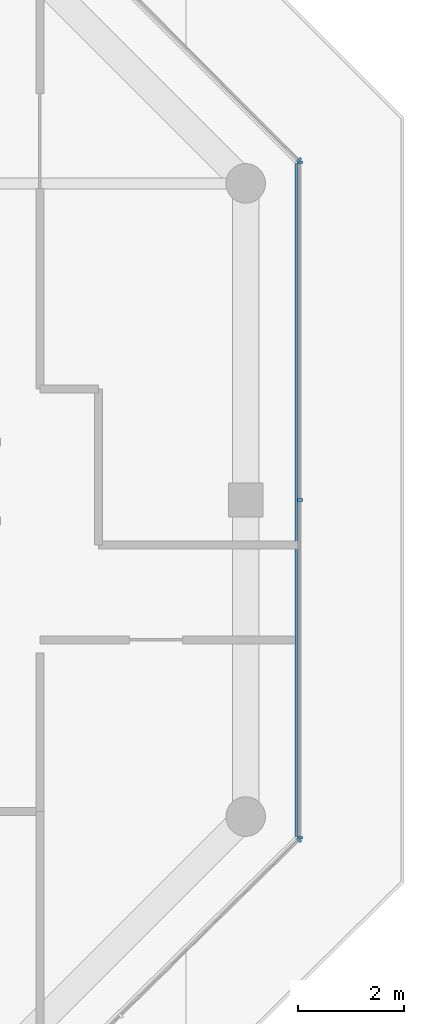
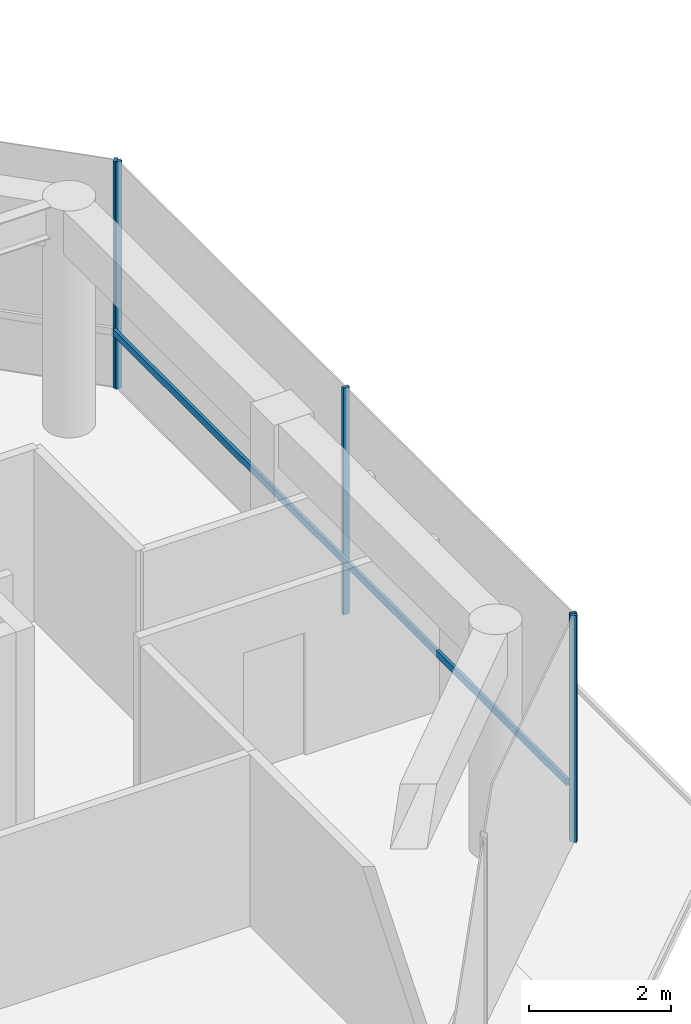
# One storey, part 8 of 17: 6 members, 3 elements without a shape of their own.
"""IFC4 building model written with IfcOpenShell, lengths in metres."""

from ifc_helpers import new_model, si_unit, direction, frame, origin, origin_2d, place, context, subcontext, project, spatial, rectangle, extrude, material, layer, layer_set, material_profile, profile_set, type_object, element, aggregate, save


model = new_model("IFC4")

# Units and contexts
model_context = context("Model", 3, precision=1e-05, world=origin(), true_north=direction((0.0, 1.0)))
body_context = subcontext(model_context, "Body", "Model", "MODEL_VIEW")
ifc_project = project(units=[si_unit("LENGTHUNIT", "METRE"), si_unit("AREAUNIT", "SQUARE_METRE"), si_unit("VOLUMEUNIT", "CUBIC_METRE"), si_unit("PLANEANGLEUNIT", "RADIAN"), si_unit("MASSUNIT", "GRAM", prefix="KILO")], contexts=[model_context])

# Site, building, storey
site_placement = place(None, origin())
site = spatial("IfcSite", under=ifc_project, at=site_placement, CompositionType="ELEMENT")
building_placement = place(site_placement, origin())
building = spatial("IfcBuilding", under=site, at=building_placement, Name="Welwitschia Terrace Campus", CompositionType="ELEMENT")
storey_placement = place(building_placement, frame((0.0, 0.0, 335.60009765625)))
storey = spatial("IfcBuildingStorey", under=building, at=storey_placement, Name="L75", CompositionType="ELEMENT", Elevation=335.60009765625)

# Curtain wall, member
ifc_material_1 = material(Name="Bronze anodised aluminium", Category="aluminium")
ifc_layer = layer(ifc_material_1, 0.10009765625)
ifc_layer_set = layer_set([ifc_layer], Name="Bronze anodised aluminium")
curtain_wall_type = type_object("IfcCurtainWallType", Name="Curtain wall CW5 crown 6000", PredefinedType="NOTDEFINED", material=ifc_layer_set)
curtain_wall_1_placement = place(storey_placement, origin())
curtain_wall_1 = element("IfcCurtainWall", 1, at=curtain_wall_1_placement, inside=storey, type_object=curtain_wall_type, Name="CW L75.5.0", PredefinedType="NOTDEFINED")
ifc_material_2 = material(Name="Bronze anodised aluminium", Category="aluminium")
ifc_material_profile_1 = material_profile(ifc_material_2, rectangle(XDim=0.10009765625, YDim=0.050048828125, at=origin_2d()))
ifc_profile_set_1 = profile_set([ifc_material_profile_1], Name="Bronze anodised aluminium")
member_type_1 = type_object("IfcMemberType", Name="Mullion 50x100", PredefinedType="MULLION", material=ifc_profile_set_1)
member_1_placement = place(storey_placement, frame((31.01220703125, 1.5556640625, 0.0), z_axis=(0.0, 0.0, 1.0), x_axis=(-0.701671880518, 0.712500226028, 0.0)))
member_1 = element("IfcMember", 2, at=member_1_placement, type_object=member_type_1, Name="Mullion L75.5.0.2", PredefinedType="MULLION", context=body_context, shape_type="SweptSolid", body=[
    extrude(rectangle(XDim=0.10009765625, YDim=0.050048828125, at=origin_2d()), origin(), (0.0, 0.0, 1.0), 3.89990234375),
])
aggregate(curtain_wall_1, [member_1])

# Curtain wall, members
curtain_wall_2_placement = place(storey_placement, origin())
curtain_wall_2 = element("IfcCurtainWall", 3, at=curtain_wall_2_placement, inside=storey, type_object=curtain_wall_type, Name="CW L75.6.0", PredefinedType="NOTDEFINED")
member_2_placement = place(storey_placement, frame((31.030029296875, 1.59814453125, 0.0), z_axis=(0.0, 0.0, 1.0), x_axis=(-1.0, 0.0, 0.0)))
member_2 = element("IfcMember", 4, at=member_2_placement, type_object=member_type_1, Name="Mullion L75.6.0.0", PredefinedType="MULLION", context=body_context, shape_type="SweptSolid", body=[
    extrude(rectangle(XDim=0.10009765625, YDim=0.050048828125, at=origin_2d()), origin(), (0.0, 0.0, 1.0), 3.89990234375),
])
member_3_placement = place(storey_placement, frame((31.030029296875, 8.0, 0.0), z_axis=(0.0, 0.0, 1.0), x_axis=(-1.0, 0.0, 0.0)))
member_3 = element("IfcMember", 5, at=member_3_placement, type_object=member_type_1, Name="Mullion L75.6.0.1", PredefinedType="MULLION", context=body_context, shape_type="SweptSolid", body=[
    extrude(rectangle(XDim=0.10009765625, YDim=0.050048828125, at=origin_2d()), origin(), (0.0, 0.0, 1.0), 3.89990234375),
])
member_4_placement = place(storey_placement, frame((31.030029296875, 14.401611328125, 0.0), z_axis=(0.0, 0.0, 1.0), x_axis=(-1.0, 0.0, 0.0)))
member_4 = element("IfcMember", 6, at=member_4_placement, type_object=member_type_1, Name="Mullion L75.6.0.2", PredefinedType="MULLION", context=body_context, shape_type="SweptSolid", body=[
    extrude(rectangle(XDim=0.10009765625, YDim=0.050048828125, at=origin_2d()), origin(), (0.0, 0.0, 1.0), 3.89990234375),
])

# Curtain wall, member
curtain_wall_3_placement = place(storey_placement, origin())
curtain_wall_3 = element("IfcCurtainWall", 7, at=curtain_wall_3_placement, inside=storey, type_object=curtain_wall_type, Name="CW L75.7.0", PredefinedType="NOTDEFINED")
member_5_placement = place(storey_placement, frame((31.01220703125, 14.4443359375, 0.0), z_axis=(0.0, 0.0, 1.0), x_axis=(-0.707106781187, -0.707106781187, 0.0)))
member_5 = element("IfcMember", 8, at=member_5_placement, type_object=member_type_1, Name="Mullion L75.7.0.0", PredefinedType="MULLION", context=body_context, shape_type="SweptSolid", body=[
    extrude(rectangle(XDim=0.10009765625, YDim=0.050048828125, at=origin_2d()), origin(), (0.0, 0.0, 1.0), 3.89990234375),
])
aggregate(curtain_wall_3, [member_5])

# Member
ifc_material_3 = material(Name="Bronze anodised aluminium", Category="aluminium")
ifc_material_profile_2 = material_profile(ifc_material_3, rectangle(XDim=0.050048828125, YDim=0.1201171875, at=origin_2d()))
ifc_profile_set_2 = profile_set([ifc_material_profile_2], Name="Bronze anodised aluminium")
member_type_2 = type_object("IfcMemberType", Name="Transom 50x120", PredefinedType="USERDEFINED", material=ifc_profile_set_2)
member_6_placement = place(storey_placement, frame((30.955078125, 1.623291015625, 1.0), z_axis=(0.0, 1.0, 0.0), x_axis=(-1.0, 0.0, 0.0)))
member_6 = element("IfcMember", 9, at=member_6_placement, type_object=member_type_2, Name="Transom L75.6.0", ObjectType="TRANSOM", PredefinedType="USERDEFINED", context=body_context, shape_type="SweptSolid", body=[
    extrude(rectangle(XDim=0.050048828125, YDim=0.1201171875, at=origin_2d()), origin(), (0.0, 0.0, 1.0), 12.75341796875),
])

aggregate(curtain_wall_2, [member_2, member_3, member_4, member_6])

save(model, "model.ifc")
